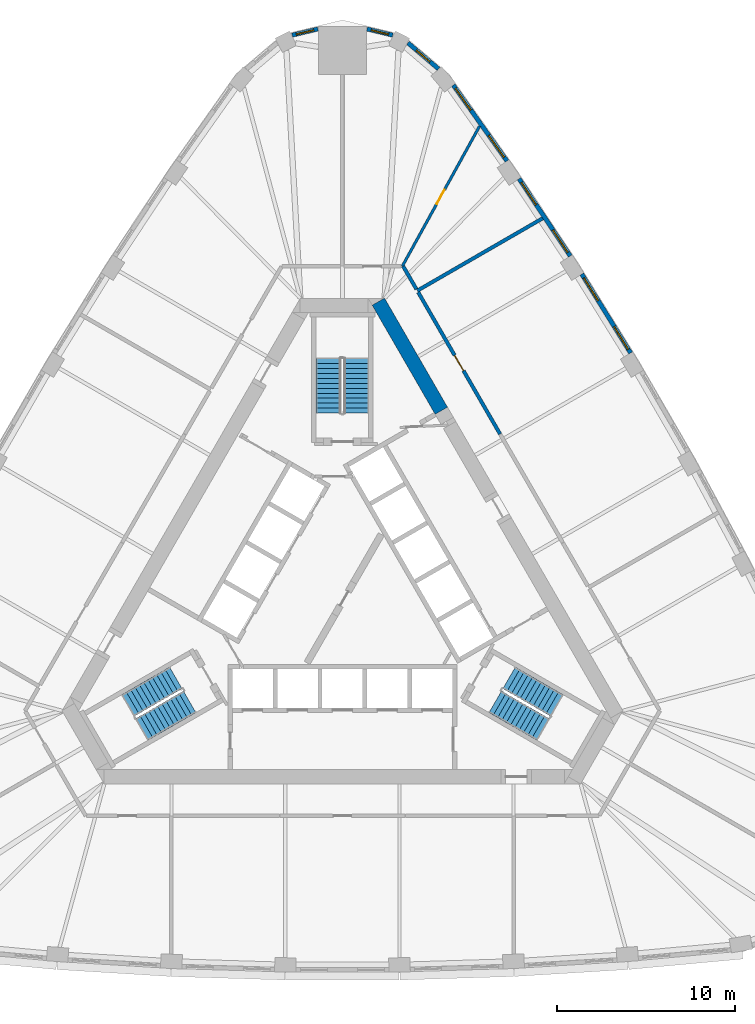
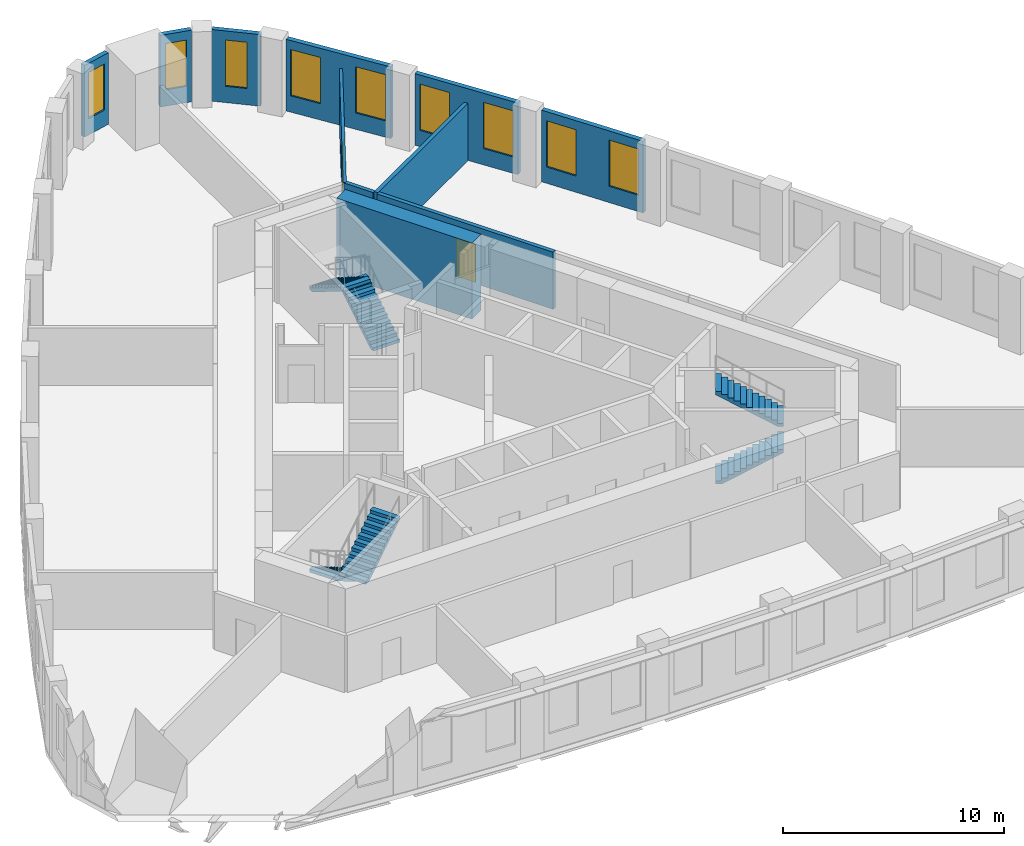
# One storey, part 8 of 9: 11 walls, 9 windows, 6 stair flights, 2 doors, 11 openings, 3 elements without a shape of their own.
"""IFC4 building model written with IfcOpenShell, lengths in metres."""

from ifc_helpers import new_model, si_unit, direction, frame, frame_2d, origin, place, context, subcontext, project, spatial, polyline, rectangle, outline, extrude, material, layer, layer_set, type_object, element, fill, aggregate, save


model = new_model("IFC4")

# Units and contexts
model_context = context("Model", 3, precision=1e-05, world=origin(), true_north=direction((0.0, 1.0)))
body_context = subcontext(model_context, "Body", "Model", "MODEL_VIEW")
ifc_project = project(units=[si_unit("LENGTHUNIT", "METRE"), si_unit("AREAUNIT", "SQUARE_METRE"), si_unit("VOLUMEUNIT", "CUBIC_METRE"), si_unit("PLANEANGLEUNIT", "RADIAN"), si_unit("MASSUNIT", "GRAM", prefix="KILO")], contexts=[model_context])

# Site, building, storey
site_placement = place(None, origin())
site = spatial("IfcSite", under=ifc_project, at=site_placement, CompositionType="ELEMENT")
building_placement = place(site_placement, origin())
building = spatial("IfcBuilding", under=site, at=building_placement, Name="Mestral Congress Tower", CompositionType="ELEMENT")
storey_placement = place(building_placement, frame((0.0, 0.0, 179.39990234375)))
storey = spatial("IfcBuildingStorey", under=building, at=storey_placement, Name="L42", CompositionType="ELEMENT", Elevation=179.39990234375)

# Wall
ifc_material_1 = material(Name="Concrete C60/75", Category="concrete")
ifc_layer_1 = layer(ifc_material_1, 0.800048828125)
ifc_layer_set_1 = layer_set([ifc_layer_1], Name="Concrete C60/75")
wall_type_1 = type_object("IfcWallType", Name="Core wall RC 800", PredefinedType="SOLIDWALL", material=ifc_layer_set_1)
wall_1_placement = place(storey_placement, frame((5.548828125, 10.4892578125, 0.0), z_axis=(0.0, 0.0, 1.0), x_axis=(-0.50001746176, 0.866015321998, 0.0)))
element("IfcWall", 1, at=wall_1_placement, inside=storey, type_object=wall_type_1, Name="L42 core wall", PredefinedType="SOLIDWALL", context=body_context, shape_type="SweptSolid", body=[
    extrude(rectangle(XDim=7.068115234375, YDim=0.800048828125, at=frame_2d((3.5341796875, 0.0))), origin(), (0.0, 0.0, 1.0), 4.2001953125),
])

# Wall, openings, windows
ifc_material_2 = material(Name="Precast concrete C40/50 with limestone facing", Category="masonry")
ifc_layer_2 = layer(ifc_material_2, 0.239990234375)
ifc_layer_set_2 = layer_set([ifc_layer_2], Name="Precast concrete C40/50 with limestone facing")
wall_type_2 = type_object("IfcWallType", Name="Facade stone wall 240", PredefinedType="SOLIDWALL", material=ifc_layer_set_2)
wall_2_placement = place(storey_placement, frame((16.170654296875, 13.731201171875, 0.0), z_axis=(0.0, 0.0, 1.0), x_axis=(-0.526197926587, 0.850362124072, 0.0)))
wall_2 = element("IfcWall", 2, at=wall_2_placement, inside=storey, type_object=wall_type_2, Name="Facade wall F1-04", PredefinedType="SOLIDWALL", context=body_context, shape_type="SweptSolid", body=[
    extrude(rectangle(XDim=5.203369140625, YDim=0.239990234375, at=frame_2d((2.6015625, 0.0))), origin(), (0.0, 0.0, 1.0), 3.9501953125),
])
opening_1_placement = place(wall_2_placement, frame((0.248291015625, 0.0, 0.89990234375)))
opening_1 = element("IfcOpeningElement", 3, at=opening_1_placement, cuts=wall_2, Name="Opening W4", PredefinedType="OPENING", context=body_context, shape_type="SweptSolid", body=[
    extrude(rectangle(XDim=1.5, YDim=2.550048828125, at=frame_2d((0.75, 1.27490234375))), frame((0.0, 0.1298828125, 0.0), z_axis=(0.0, -1.0, 0.0), x_axis=(1.0, 0.0, 0.0)), (0.0, 0.0, 1.0), 0.260009765625),
])
opening_2_placement = place(wall_2_placement, frame((3.455078125, 0.0, 0.89990234375)))
opening_2 = element("IfcOpeningElement", 4, at=opening_2_placement, cuts=wall_2, Name="Opening W4", PredefinedType="OPENING", context=body_context, shape_type="SweptSolid", body=[
    extrude(rectangle(XDim=1.5, YDim=2.550048828125, at=frame_2d((0.75, 1.27490234375))), frame((0.0, 0.1298828125, 0.0), z_axis=(0.0, -1.0, 0.0), x_axis=(1.0, 0.0, 0.0)), (0.0, 0.0, 1.0), 0.260009765625),
])
ifc_material_3 = material(Name="Clear low-emissivity double glazing", Category="glass")
window_type_1 = type_object("IfcWindowType", Name="Facade punched window 1500 x 2550 sill 900", PartitioningType="SINGLE_PANEL", PredefinedType="WINDOW", material=ifc_material_3)
window_1_placement = place(opening_1_placement, origin())
window_1 = element("IfcWindow", 5, at=window_1_placement, inside=storey, type_object=window_type_1, Name="Window F1-04a", OverallHeight=2.550048828125, OverallWidth=1.5, PartitioningType="SINGLE_PANEL", PredefinedType="WINDOW", context=body_context, shape_type="SweptSolid", body=[
    extrude(rectangle(XDim=1.5, YDim=2.550048828125, at=frame_2d((0.75, 1.27490234375))), frame((0.0, 0.0400390625, 0.0), z_axis=(0.0, -1.0, 0.0), x_axis=(1.0, 0.0, 0.0)), (0.0, 0.0, 1.0), 0.06005859375),
])
fill(opening_1, window_1)
window_2_placement = place(opening_2_placement, origin())
window_2 = element("IfcWindow", 6, at=window_2_placement, inside=storey, type_object=window_type_1, Name="Window F1-04b", OverallHeight=2.550048828125, OverallWidth=1.5, PartitioningType="SINGLE_PANEL", PredefinedType="WINDOW", context=body_context, shape_type="SweptSolid", body=[
    extrude(rectangle(XDim=1.5, YDim=2.550048828125, at=frame_2d((0.75, 1.27490234375))), frame((0.0, 0.0400390625, 0.0), z_axis=(0.0, -1.0, 0.0), x_axis=(1.0, 0.0, 0.0)), (0.0, 0.0, 1.0), 0.06005859375),
])
fill(opening_2, window_2)

wall_3_placement = place(storey_placement, frame((12.783203125, 19.170654296875, 0.0), z_axis=(0.0, 0.0, 1.0), x_axis=(-0.551892811511, 0.833915058386, 0.0)))
wall_3 = element("IfcWall", 7, at=wall_3_placement, inside=storey, type_object=wall_type_2, Name="Facade wall F1-05", PredefinedType="SOLIDWALL", context=body_context, shape_type="SweptSolid", body=[
    extrude(rectangle(XDim=5.20361328125, YDim=0.239990234375, at=frame_2d((2.601806640625, 0.0))), origin(), (0.0, 0.0, 1.0), 3.9501953125),
])
opening_3_placement = place(wall_3_placement, frame((0.248291015625, 0.0, 0.89990234375)))
opening_3 = element("IfcOpeningElement", 8, at=opening_3_placement, cuts=wall_3, Name="Opening W4", PredefinedType="OPENING", context=body_context, shape_type="SweptSolid", body=[
    extrude(rectangle(XDim=1.5, YDim=2.550048828125, at=frame_2d((0.75, 1.27490234375))), frame((0.0, 0.1298828125, 0.0), z_axis=(0.0, -1.0, 0.0), x_axis=(1.0, 0.0, 0.0)), (0.0, 0.0, 1.0), 0.260009765625),
])
opening_4_placement = place(wall_3_placement, frame((3.455078125, 0.0, 0.89990234375)))
opening_4 = element("IfcOpeningElement", 9, at=opening_4_placement, cuts=wall_3, Name="Opening W4", PredefinedType="OPENING", context=body_context, shape_type="SweptSolid", body=[
    extrude(rectangle(XDim=1.5, YDim=2.550048828125, at=frame_2d((0.75, 1.27490234375))), frame((0.0, 0.1298828125, 0.0), z_axis=(0.0, -1.0, 0.0), x_axis=(1.0, 0.0, 0.0)), (0.0, 0.0, 1.0), 0.260009765625),
])
window_3_placement = place(opening_3_placement, origin())
window_3 = element("IfcWindow", 10, at=window_3_placement, inside=storey, type_object=window_type_1, Name="Window F1-05a", OverallHeight=2.550048828125, OverallWidth=1.5, PartitioningType="SINGLE_PANEL", PredefinedType="WINDOW", context=body_context, shape_type="SweptSolid", body=[
    extrude(rectangle(XDim=1.5, YDim=2.550048828125, at=frame_2d((0.75, 1.27490234375))), frame((0.0, 0.0400390625, 0.0), z_axis=(0.0, -1.0, 0.0), x_axis=(1.0, 0.0, 0.0)), (0.0, 0.0, 1.0), 0.06005859375),
])
fill(opening_3, window_3)
window_4_placement = place(opening_4_placement, origin())
window_4 = element("IfcWindow", 11, at=window_4_placement, inside=storey, type_object=window_type_1, Name="Window F1-05b", OverallHeight=2.550048828125, OverallWidth=1.5, PartitioningType="SINGLE_PANEL", PredefinedType="WINDOW", context=body_context, shape_type="SweptSolid", body=[
    extrude(rectangle(XDim=1.5, YDim=2.550048828125, at=frame_2d((0.75, 1.27490234375))), frame((0.0, 0.0400390625, 0.0), z_axis=(0.0, -1.0, 0.0), x_axis=(1.0, 0.0, 0.0)), (0.0, 0.0, 1.0), 0.06005859375),
])
fill(opening_4, window_4)

wall_4_placement = place(storey_placement, frame((9.231201171875, 24.50439453125, 0.0), z_axis=(0.0, 0.0, 1.0), x_axis=(-0.577115207679, 0.816662743772, 0.0)))
wall_4 = element("IfcWall", 12, at=wall_4_placement, inside=storey, type_object=wall_type_2, Name="Facade wall F1-06", PredefinedType="SOLIDWALL", context=body_context, shape_type="SweptSolid", body=[
    extrude(rectangle(XDim=5.213134765625, YDim=0.239990234375, at=frame_2d((2.6064453125, 0.0))), origin(), (0.0, 0.0, 1.0), 3.9501953125),
])
opening_5_placement = place(wall_4_placement, frame((0.2607421875, 0.0, 0.89990234375)))
opening_5 = element("IfcOpeningElement", 13, at=opening_5_placement, cuts=wall_4, Name="Opening W4", PredefinedType="OPENING", context=body_context, shape_type="SweptSolid", body=[
    extrude(rectangle(XDim=1.5, YDim=2.550048828125, at=frame_2d((0.75, 1.27490234375))), frame((0.0, 0.1298828125, 0.0), z_axis=(0.0, -1.0, 0.0), x_axis=(1.0, 0.0, 0.0)), (0.0, 0.0, 1.0), 0.260009765625),
])
opening_6_placement = place(wall_4_placement, frame((3.492431640625, 0.0, 0.89990234375)))
opening_6 = element("IfcOpeningElement", 14, at=opening_6_placement, cuts=wall_4, Name="Opening W4", PredefinedType="OPENING", context=body_context, shape_type="SweptSolid", body=[
    extrude(rectangle(XDim=1.5, YDim=2.550048828125, at=frame_2d((0.75, 1.27490234375))), frame((0.0, 0.1298828125, 0.0), z_axis=(0.0, -1.0, 0.0), x_axis=(1.0, 0.0, 0.0)), (0.0, 0.0, 1.0), 0.260009765625),
])
window_5_placement = place(opening_5_placement, origin())
window_5 = element("IfcWindow", 15, at=window_5_placement, inside=storey, type_object=window_type_1, Name="Window F1-06a", OverallHeight=2.550048828125, OverallWidth=1.5, PartitioningType="SINGLE_PANEL", PredefinedType="WINDOW", context=body_context, shape_type="SweptSolid", body=[
    extrude(rectangle(XDim=1.5, YDim=2.550048828125, at=frame_2d((0.75, 1.27490234375))), frame((0.0, 0.0400390625, 0.0), z_axis=(0.0, -1.0, 0.0), x_axis=(1.0, 0.0, 0.0)), (0.0, 0.0, 1.0), 0.06005859375),
])
fill(opening_5, window_5)
window_6_placement = place(opening_6_placement, origin())
window_6 = element("IfcWindow", 16, at=window_6_placement, inside=storey, type_object=window_type_1, Name="Window F1-06b", OverallHeight=2.550048828125, OverallWidth=1.5, PartitioningType="SINGLE_PANEL", PredefinedType="WINDOW", context=body_context, shape_type="SweptSolid", body=[
    extrude(rectangle(XDim=1.5, YDim=2.550048828125, at=frame_2d((0.75, 1.27490234375))), frame((0.0, 0.0400390625, 0.0), z_axis=(0.0, -1.0, 0.0), x_axis=(1.0, 0.0, 0.0)), (0.0, 0.0, 1.0), 0.06005859375),
])
fill(opening_6, window_6)

# Wall, opening, window
wall_5_placement = place(storey_placement, frame((5.3916015625, 29.672119140625, 0.0), z_axis=(0.0, 0.0, 1.0), x_axis=(-0.761419744247, 0.648259186645, 0.0)))
wall_5 = element("IfcWall", 17, at=wall_5_placement, inside=storey, type_object=wall_type_2, Name="Facade wall K1-0", PredefinedType="SOLIDWALL", context=body_context, shape_type="SweptSolid", body=[
    extrude(rectangle(XDim=2.250244140625, YDim=0.239990234375, at=frame_2d((1.125, 0.0))), origin(), (0.0, 0.0, 1.0), 3.9501953125),
])
opening_7_placement = place(wall_5_placement, frame((0.625244140625, 0.0, 0.89990234375)))
opening_7 = element("IfcOpeningElement", 18, at=opening_7_placement, cuts=wall_5, Name="Opening W5", PredefinedType="OPENING", context=body_context, shape_type="SweptSolid", body=[
    extrude(rectangle(XDim=1.0, YDim=2.550048828125, at=frame_2d((0.5, 1.27490234375))), frame((0.0, 0.1298828125, 0.0), z_axis=(0.0, -1.0, 0.0), x_axis=(1.0, 0.0, 0.0)), (0.0, 0.0, 1.0), 0.260009765625),
])
window_type_2 = type_object("IfcWindowType", Name="Facade punched window 1000 x 2550 sill 900", PartitioningType="SINGLE_PANEL", PredefinedType="WINDOW", material=ifc_material_3)
window_7_placement = place(opening_7_placement, origin())
window_7 = element("IfcWindow", 19, at=window_7_placement, inside=storey, type_object=window_type_2, Name="Window K1-0", OverallHeight=2.550048828125, OverallWidth=1.0, PartitioningType="SINGLE_PANEL", PredefinedType="WINDOW", context=body_context, shape_type="SweptSolid", body=[
    extrude(rectangle(XDim=1.0, YDim=2.550048828125, at=frame_2d((0.5, 1.27490234375))), frame((0.0, 0.0400390625, 0.0), z_axis=(0.0, -1.0, 0.0), x_axis=(1.0, 0.0, 0.0)), (0.0, 0.0, 1.0), 0.06005859375),
])
fill(opening_7, window_7)

wall_6_placement = place(storey_placement, frame((2.821044921875, 31.56640625, 0.0), z_axis=(0.0, 0.0, 1.0), x_axis=(-0.972479955788, 0.232986556673, 0.0)))
wall_6 = element("IfcWall", 20, at=wall_6_placement, inside=storey, type_object=wall_type_2, Name="Facade wall K1-1", PredefinedType="SOLIDWALL", context=body_context, shape_type="SweptSolid", body=[
    extrude(rectangle(XDim=1.481689453125, YDim=0.239990234375, at=frame_2d((0.74072265625, 0.0))), origin(), (0.0, 0.0, 1.0), 3.9501953125),
])
opening_8_placement = place(wall_6_placement, frame((0.24072265625, 0.0, 0.89990234375)))
opening_8 = element("IfcOpeningElement", 21, at=opening_8_placement, cuts=wall_6, Name="Opening W5", PredefinedType="OPENING", context=body_context, shape_type="SweptSolid", body=[
    extrude(rectangle(XDim=1.0, YDim=2.550048828125, at=frame_2d((0.5, 1.27490234375))), frame((0.0, 0.1298828125, 0.0), z_axis=(0.0, -1.0, 0.0), x_axis=(1.0, 0.0, 0.0)), (0.0, 0.0, 1.0), 0.260009765625),
])
window_8_placement = place(opening_8_placement, origin())
window_8 = element("IfcWindow", 22, at=window_8_placement, inside=storey, type_object=window_type_2, Name="Window K1-1", OverallHeight=2.550048828125, OverallWidth=1.0, PartitioningType="SINGLE_PANEL", PredefinedType="WINDOW", context=body_context, shape_type="SweptSolid", body=[
    extrude(rectangle(XDim=1.0, YDim=2.550048828125, at=frame_2d((0.5, 1.27490234375))), frame((0.0, 0.0400390625, 0.0), z_axis=(0.0, -1.0, 0.0), x_axis=(1.0, 0.0, 0.0)), (0.0, 0.0, 1.0), 0.06005859375),
])
fill(opening_8, window_8)

wall_7_placement = place(storey_placement, frame((-1.380126953125, 31.91162109375, 0.0), z_axis=(0.0, 0.0, 1.0), x_axis=(-0.972479955788, -0.232986556673, 0.0)))
wall_7 = element("IfcWall", 23, at=wall_7_placement, inside=storey, type_object=wall_type_2, Name="Facade wall K1-2", PredefinedType="SOLIDWALL", context=body_context, shape_type="SweptSolid", body=[
    extrude(rectangle(XDim=1.481689453125, YDim=0.239990234375, at=frame_2d((0.74072265625, 0.0))), origin(), (0.0, 0.0, 1.0), 3.9501953125),
])
opening_9_placement = place(wall_7_placement, frame((0.24072265625, 0.0, 0.89990234375)))
opening_9 = element("IfcOpeningElement", 24, at=opening_9_placement, cuts=wall_7, Name="Opening W5", PredefinedType="OPENING", context=body_context, shape_type="SweptSolid", body=[
    extrude(rectangle(XDim=1.0, YDim=2.550048828125, at=frame_2d((0.5, 1.27490234375))), frame((0.0, 0.1298828125, 0.0), z_axis=(0.0, -1.0, 0.0), x_axis=(1.0, 0.0, 0.0)), (0.0, 0.0, 1.0), 0.260009765625),
])
window_9_placement = place(opening_9_placement, origin())
window_9 = element("IfcWindow", 25, at=window_9_placement, inside=storey, type_object=window_type_2, Name="Window K1-2", OverallHeight=2.550048828125, OverallWidth=1.0, PartitioningType="SINGLE_PANEL", PredefinedType="WINDOW", context=body_context, shape_type="SweptSolid", body=[
    extrude(rectangle(XDim=1.0, YDim=2.550048828125, at=frame_2d((0.5, 1.27490234375))), frame((0.0, 0.0400390625, 0.0), z_axis=(0.0, -1.0, 0.0), x_axis=(1.0, 0.0, 0.0)), (0.0, 0.0, 1.0), 0.06005859375),
])
fill(opening_9, window_9)

# Wall, opening, door
ifc_material_4 = material(Name="Plasterboard partition on steel studs", Category="steel")
ifc_layer_3 = layer(ifc_material_4, 0.14990234375)
ifc_layer_set_3 = layer_set([ifc_layer_3], Name="Plasterboard partition on steel studs")
wall_type_3 = type_object("IfcWallType", Name="Office partition 150", PredefinedType="PARTITIONING", material=ifc_layer_set_3)
wall_8_placement = place(storey_placement, frame((7.698486328125, 26.465087890625, 0.0), z_axis=(0.0, 0.0, 1.0), x_axis=(-0.482998301798, -0.875621288263, 0.0)))
wall_8 = element("IfcWall", 26, at=wall_8_placement, inside=storey, type_object=wall_type_3, Name="Partition", PredefinedType="PARTITIONING", context=body_context, shape_type="SweptSolid", body=[
    extrude(rectangle(XDim=8.982177734375, YDim=0.14990234375, at=frame_2d((4.4912109375, 0.0))), origin(), (0.0, 0.0, 1.0), 3.150146484375),
])
opening_10_placement = place(wall_8_placement, frame((4.08251953125, 0.0, 0.0)))
opening_10 = element("IfcOpeningElement", 27, at=opening_10_placement, cuts=wall_8, Name="Opening O04-005", PredefinedType="OPENING", context=body_context, shape_type="SweptSolid", body=[
    extrude(rectangle(XDim=0.89990234375, YDim=2.10009765625, at=frame_2d((0.449951171875, 1.050048828125))), frame((0.0, 0.0849609375, 0.0), z_axis=(0.0, -1.0, 0.0), x_axis=(1.0, 0.0, 0.0)), (0.0, 0.0, 1.0), 0.169921875),
])
ifc_material_5 = material(Name="Timber door set", Category="wood")
door_type_1 = type_object("IfcDoorType", Name="Office door 900x2100", OperationType="SINGLE_SWING_LEFT", PredefinedType="DOOR", material=ifc_material_5)
door_1_placement = place(opening_10_placement, origin())
door_1 = element("IfcDoor", 28, at=door_1_placement, inside=storey, type_object=door_type_1, Name="Door O04-005", OperationType="SINGLE_SWING_RIGHT", OverallHeight=2.10009765625, OverallWidth=0.89990234375, PredefinedType="DOOR", context=body_context, shape_type="SweptSolid", body=[
    extrude(rectangle(XDim=0.89990234375, YDim=2.10009765625, at=frame_2d((0.449951171875, 1.050048828125))), frame((0.0, 0.02490234375, 0.0), z_axis=(0.0, -1.0, 0.0), x_axis=(1.0, 0.0, 0.0)), (0.0, 0.0, 1.0), 0.050048828125),
])
fill(opening_10, door_1)

# Wall
ifc_material_6 = material(Name="Dense masonry wall, plastered", Category="masonry")
ifc_layer_4 = layer(ifc_material_6, 0.199951171875)
ifc_layer_set_4 = layer_set([ifc_layer_4], Name="Dense masonry wall, plastered")
wall_type_4 = type_object("IfcWallType", Name="Office tenancy wall 200", PredefinedType="PARTITIONING", material=ifc_layer_set_4)
wall_9_placement = place(storey_placement, frame((4.19970703125, 17.2255859375, 0.0), z_axis=(0.0, 0.0, 1.0), x_axis=(0.866021486214, 0.500006785369, 0.0)))
element("IfcWall", 29, at=wall_9_placement, inside=storey, type_object=wall_type_4, Name="Tenancy wall", PredefinedType="PARTITIONING", context=body_context, shape_type="SweptSolid", body=[
    extrude(rectangle(XDim=8.12646484375, YDim=0.199951171875, at=frame_2d((4.063232421875, 0.0))), origin(), (0.0, 0.0, 1.0), 3.150146484375),
])

# Wall, opening, door
wall_10_placement = place(storey_placement, frame((8.84375, 9.18212890625, 0.0), z_axis=(0.0, 0.0, 1.0), x_axis=(-0.50000000053, 0.866025403479, 0.0)))
wall_10 = element("IfcWall", 30, at=wall_10_placement, inside=storey, type_object=wall_type_4, Name="Tenancy wall", PredefinedType="PARTITIONING", context=body_context, shape_type="SweptSolid", body=[
    extrude(rectangle(XDim=9.18798828125, YDim=0.199951171875, at=frame_2d((4.593994140625, 0.0))), origin(), (0.0, 0.0, 1.0), 3.150146484375),
])
opening_11_placement = place(wall_10_placement, frame((4.10009765625, 0.0, 0.0)))
opening_11 = element("IfcOpeningElement", 31, at=opening_11_placement, cuts=wall_10, Name="Opening O04-004", PredefinedType="OPENING", context=body_context, shape_type="SweptSolid", body=[
    extrude(rectangle(XDim=1.0, YDim=2.10009765625, at=frame_2d((0.5, 1.050048828125))), frame((0.0, 0.10986328125, 0.0), z_axis=(0.0, -1.0, 0.0), x_axis=(1.0, 0.0, 0.0)), (0.0, 0.0, 1.0), 0.219970703125),
])
ifc_material_7 = material(Name="Fire-rated timber door set", Category="wood")
door_type_2 = type_object("IfcDoorType", Name="Office tenancy entrance door 1000x2100", OperationType="SINGLE_SWING_LEFT", PredefinedType="DOOR", material=ifc_material_7)
door_2_placement = place(opening_11_placement, origin())
door_2 = element("IfcDoor", 32, at=door_2_placement, inside=storey, type_object=door_type_2, Name="Door O04-004", OperationType="SINGLE_SWING_RIGHT", OverallHeight=2.10009765625, OverallWidth=1.0, PredefinedType="DOOR", context=body_context, shape_type="SweptSolid", body=[
    extrude(rectangle(XDim=1.0, YDim=2.10009765625, at=frame_2d((0.5, 1.050048828125))), frame((0.0, 0.02490234375, 0.0), z_axis=(0.0, -1.0, 0.0), x_axis=(1.0, 0.0, 0.0)), (0.0, 0.0, 1.0), 0.050048828125),
])
fill(opening_11, door_2)

# Wall
wall_11_placement = place(storey_placement, frame((4.14990234375, 17.312255859375, 0.0), z_axis=(0.0, 0.0, 1.0), x_axis=(-0.499935638681, 0.86606255962, 0.0)))
element("IfcWall", 33, at=wall_11_placement, inside=storey, type_object=wall_type_4, Name="Tenancy wall", PredefinedType="PARTITIONING", context=body_context, shape_type="SweptSolid", body=[
    extrude(rectangle(XDim=1.487060546875, YDim=0.199951171875, at=frame_2d((0.74365234375, 0.0))), origin(), (0.0, 0.0, 1.0), 3.150146484375),
])

# Stair, stair flights
stair_type = type_object("IfcStairType", Name="Exit stair 1400", PredefinedType="HALF_TURN_STAIR", material=ifc_material_1)
placement = place(storey_placement, origin())
stair_1 = element("IfcStair", 34, at=placement, inside=storey, type_object=stair_type, Name="L42 ST1", PredefinedType="HALF_TURN_STAIR")
stair_flight_type = type_object("IfcStairFlightType", Name="Exit stair flight 1400", PredefinedType="STRAIGHT", material=ifc_material_1)
stair_flight_1_placement = place(storey_placement, frame((8.575927734375, -5.84619140625, 0.0), z_axis=(0.0, 0.0, 1.0), x_axis=(0.866025403784, -0.5, 0.0)))
stair_flight_1 = element("IfcStairFlight", 35, at=stair_flight_1_placement, type_object=stair_flight_type, Name="ST1 flight 1", NumberOfRisers=12, NumberOfTreads=11, PredefinedType="STRAIGHT", RiserHeight=0.175, TreadLength=0.28, context=body_context, shape_type="SweptSolid", body=[
    extrude(outline(polyline([(0.0, 0.0), (0.0, 0.175048828125), (0.280029296875, 0.175048828125), (0.280029296875, 0.35009765625), (0.56005859375, 0.35009765625), (0.56005859375, 0.52490234375), (0.840087890625, 0.52490234375), (0.840087890625, 0.699951171875), (1.1201171875, 0.699951171875), (1.1201171875, 0.875), (1.39990234375, 0.875), (1.39990234375, 1.050048828125), (1.679931640625, 1.050048828125), (1.679931640625, 1.22509765625), (1.9599609375, 1.22509765625), (1.9599609375, 1.39990234375), (2.239990234375, 1.39990234375), (2.239990234375, 1.574951171875), (2.52001953125, 1.574951171875), (2.52001953125, 1.75), (2.800048828125, 1.75), (2.800048828125, 1.925048828125), (3.080078125, 1.925048828125), (3.080078125, 2.10009765625), (3.080078125, 1.748291015625), (0.28271484375, 0.0), (0.0, 0.0)])), frame((0.0, 0.699951171875, 0.0), z_axis=(0.0, -1.0, 0.0), x_axis=(1.0, 0.0, 0.0)), (0.0, 0.0, 1.0), 1.39990234375),
])
stair_flight_2_placement = place(storey_placement, frame((12.018310546875, -6.0439453125, 2.10009765625), z_axis=(0.0, 0.0, 1.0), x_axis=(-0.866025403784, 0.5, 0.0)))
stair_flight_2 = element("IfcStairFlight", 36, at=stair_flight_2_placement, type_object=stair_flight_type, Name="ST1 flight 2", NumberOfRisers=12, NumberOfTreads=11, PredefinedType="STRAIGHT", RiserHeight=0.175, TreadLength=0.28, context=body_context, shape_type="SweptSolid", body=[
    extrude(outline(polyline([(0.0, 0.0), (0.0, 0.175048828125), (0.280029296875, 0.175048828125), (0.280029296875, 0.35009765625), (0.56005859375, 0.35009765625), (0.56005859375, 0.52490234375), (0.840087890625, 0.52490234375), (0.840087890625, 0.699951171875), (1.1201171875, 0.699951171875), (1.1201171875, 0.875), (1.39990234375, 0.875), (1.39990234375, 1.050048828125), (1.679931640625, 1.050048828125), (1.679931640625, 1.22509765625), (1.9599609375, 1.22509765625), (1.9599609375, 1.39990234375), (2.239990234375, 1.39990234375), (2.239990234375, 1.574951171875), (2.52001953125, 1.574951171875), (2.52001953125, 1.75), (2.800048828125, 1.75), (2.800048828125, 1.925048828125), (3.080078125, 1.925048828125), (3.080078125, 2.10009765625), (3.080078125, 1.748291015625), (0.28271484375, 0.0), (0.0, 0.0)])), frame((0.0, 0.699951171875, 0.0), z_axis=(0.0, -1.0, 0.0), x_axis=(1.0, 0.0, 0.0)), (0.0, 0.0, 1.0), 1.39990234375),
])
aggregate(stair_1, [stair_flight_1, stair_flight_2])

stair_2 = element("IfcStair", 37, at=placement, inside=storey, type_object=stair_type, Name="L42 ST2", PredefinedType="HALF_TURN_STAIR")
stair_flight_3_placement = place(storey_placement, frame((0.77490234375, 10.35009765625, 0.0), z_axis=(0.0, 0.0, 1.0), x_axis=(0.0, 1.0, 0.0)))
stair_flight_3 = element("IfcStairFlight", 38, at=stair_flight_3_placement, type_object=stair_flight_type, Name="ST2 flight 1", NumberOfRisers=12, NumberOfTreads=11, PredefinedType="STRAIGHT", RiserHeight=0.175, TreadLength=0.28, context=body_context, shape_type="SweptSolid", body=[
    extrude(outline(polyline([(0.0, 0.0), (0.0, 0.175048828125), (0.280029296875, 0.175048828125), (0.280029296875, 0.35009765625), (0.56005859375, 0.35009765625), (0.56005859375, 0.52490234375), (0.840087890625, 0.52490234375), (0.840087890625, 0.699951171875), (1.1201171875, 0.699951171875), (1.1201171875, 0.875), (1.39990234375, 0.875), (1.39990234375, 1.050048828125), (1.679931640625, 1.050048828125), (1.679931640625, 1.22509765625), (1.9599609375, 1.22509765625), (1.9599609375, 1.39990234375), (2.239990234375, 1.39990234375), (2.239990234375, 1.574951171875), (2.52001953125, 1.574951171875), (2.52001953125, 1.75), (2.800048828125, 1.75), (2.800048828125, 1.925048828125), (3.080078125, 1.925048828125), (3.080078125, 2.10009765625), (3.080078125, 1.748291015625), (0.28271484375, 0.0), (0.0, 0.0)])), frame((0.0, 0.699951171875, 0.0), z_axis=(0.0, -1.0, 0.0), x_axis=(1.0, 0.0, 0.0)), (0.0, 0.0, 1.0), 1.39990234375),
])
stair_flight_4_placement = place(storey_placement, frame((-0.77490234375, 13.429931640625, 2.10009765625), z_axis=(0.0, 0.0, 1.0), x_axis=(0.0, -1.0, 0.0)))
stair_flight_4 = element("IfcStairFlight", 39, at=stair_flight_4_placement, type_object=stair_flight_type, Name="ST2 flight 2", NumberOfRisers=12, NumberOfTreads=11, PredefinedType="STRAIGHT", RiserHeight=0.175, TreadLength=0.28, context=body_context, shape_type="SweptSolid", body=[
    extrude(outline(polyline([(0.0, 0.0), (0.0, 0.175048828125), (0.280029296875, 0.175048828125), (0.280029296875, 0.35009765625), (0.56005859375, 0.35009765625), (0.56005859375, 0.52490234375), (0.840087890625, 0.52490234375), (0.840087890625, 0.699951171875), (1.1201171875, 0.699951171875), (1.1201171875, 0.875), (1.39990234375, 0.875), (1.39990234375, 1.050048828125), (1.679931640625, 1.050048828125), (1.679931640625, 1.22509765625), (1.9599609375, 1.22509765625), (1.9599609375, 1.39990234375), (2.239990234375, 1.39990234375), (2.239990234375, 1.574951171875), (2.52001953125, 1.574951171875), (2.52001953125, 1.75), (2.800048828125, 1.75), (2.800048828125, 1.925048828125), (3.080078125, 1.925048828125), (3.080078125, 2.10009765625), (3.080078125, 1.748291015625), (0.28271484375, 0.0), (0.0, 0.0)])), frame((0.0, 0.699951171875, 0.0), z_axis=(0.0, -1.0, 0.0), x_axis=(1.0, 0.0, 0.0)), (0.0, 0.0, 1.0), 1.39990234375),
])
aggregate(stair_2, [stair_flight_3, stair_flight_4])

stair_3 = element("IfcStair", 40, at=placement, inside=storey, type_object=stair_type, Name="L42 ST3", PredefinedType="HALF_TURN_STAIR")
stair_flight_5_placement = place(storey_placement, frame((-9.350830078125, -4.50390625, 0.0), z_axis=(0.0, 0.0, 1.0), x_axis=(-0.866025403784, -0.5, 0.0)))
stair_flight_5 = element("IfcStairFlight", 41, at=stair_flight_5_placement, type_object=stair_flight_type, Name="ST3 flight 1", NumberOfRisers=12, NumberOfTreads=11, PredefinedType="STRAIGHT", RiserHeight=0.175, TreadLength=0.28, context=body_context, shape_type="SweptSolid", body=[
    extrude(outline(polyline([(0.0, 0.0), (0.0, 0.175048828125), (0.280029296875, 0.175048828125), (0.280029296875, 0.35009765625), (0.56005859375, 0.35009765625), (0.56005859375, 0.52490234375), (0.840087890625, 0.52490234375), (0.840087890625, 0.699951171875), (1.1201171875, 0.699951171875), (1.1201171875, 0.875), (1.39990234375, 0.875), (1.39990234375, 1.050048828125), (1.679931640625, 1.050048828125), (1.679931640625, 1.22509765625), (1.9599609375, 1.22509765625), (1.9599609375, 1.39990234375), (2.239990234375, 1.39990234375), (2.239990234375, 1.574951171875), (2.52001953125, 1.574951171875), (2.52001953125, 1.75), (2.800048828125, 1.75), (2.800048828125, 1.925048828125), (3.080078125, 1.925048828125), (3.080078125, 2.10009765625), (3.080078125, 1.748291015625), (0.28271484375, 0.0), (0.0, 0.0)])), frame((0.0, 0.699951171875, 0.0), z_axis=(0.0, -1.0, 0.0), x_axis=(1.0, 0.0, 0.0)), (0.0, 0.0, 1.0), 1.39990234375),
])
stair_flight_6_placement = place(storey_placement, frame((-11.2431640625, -7.38623046875, 2.10009765625), z_axis=(0.0, 0.0, 1.0), x_axis=(0.866025403784, 0.5, 0.0)))
stair_flight_6 = element("IfcStairFlight", 42, at=stair_flight_6_placement, type_object=stair_flight_type, Name="ST3 flight 2", NumberOfRisers=12, NumberOfTreads=11, PredefinedType="STRAIGHT", RiserHeight=0.175, TreadLength=0.28, context=body_context, shape_type="SweptSolid", body=[
    extrude(outline(polyline([(0.0, 0.0), (0.0, 0.175048828125), (0.280029296875, 0.175048828125), (0.280029296875, 0.35009765625), (0.56005859375, 0.35009765625), (0.56005859375, 0.52490234375), (0.840087890625, 0.52490234375), (0.840087890625, 0.699951171875), (1.1201171875, 0.699951171875), (1.1201171875, 0.875), (1.39990234375, 0.875), (1.39990234375, 1.050048828125), (1.679931640625, 1.050048828125), (1.679931640625, 1.22509765625), (1.9599609375, 1.22509765625), (1.9599609375, 1.39990234375), (2.239990234375, 1.39990234375), (2.239990234375, 1.574951171875), (2.52001953125, 1.574951171875), (2.52001953125, 1.75), (2.800048828125, 1.75), (2.800048828125, 1.925048828125), (3.080078125, 1.925048828125), (3.080078125, 2.10009765625), (3.080078125, 1.748291015625), (0.28271484375, 0.0), (0.0, 0.0)])), frame((0.0, 0.699951171875, 0.0), z_axis=(0.0, -1.0, 0.0), x_axis=(1.0, 0.0, 0.0)), (0.0, 0.0, 1.0), 1.39990234375),
])
aggregate(stair_3, [stair_flight_5, stair_flight_6])

save(model, "model.ifc")
